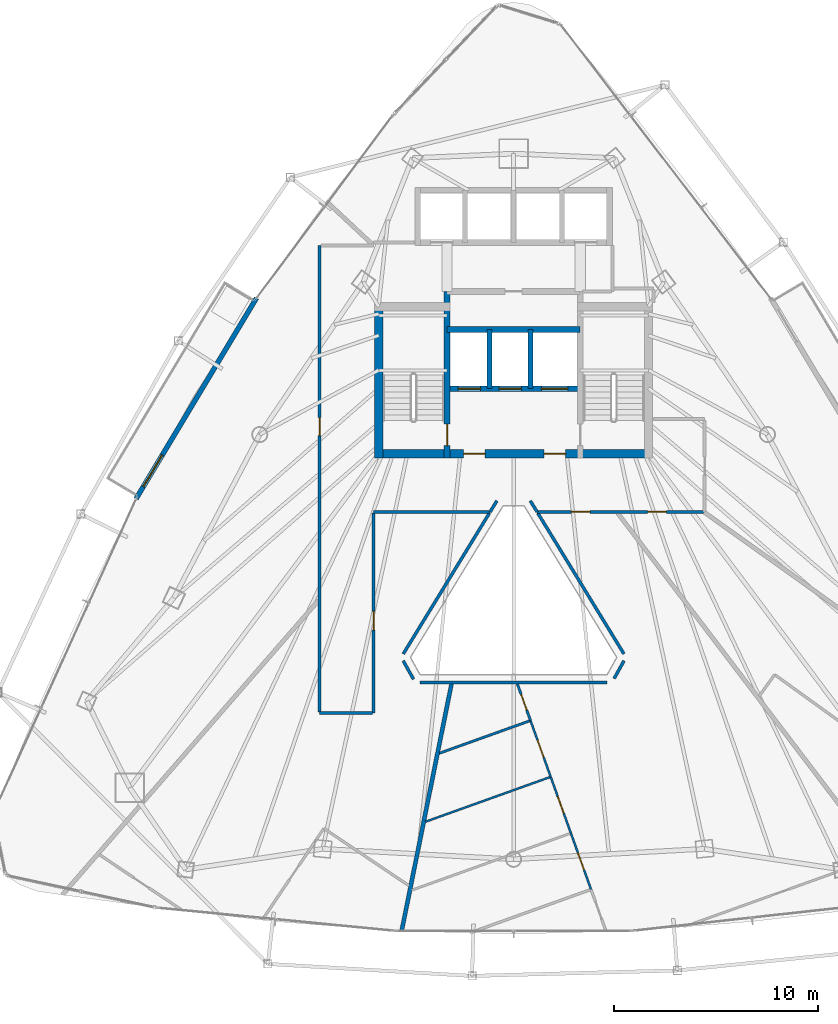
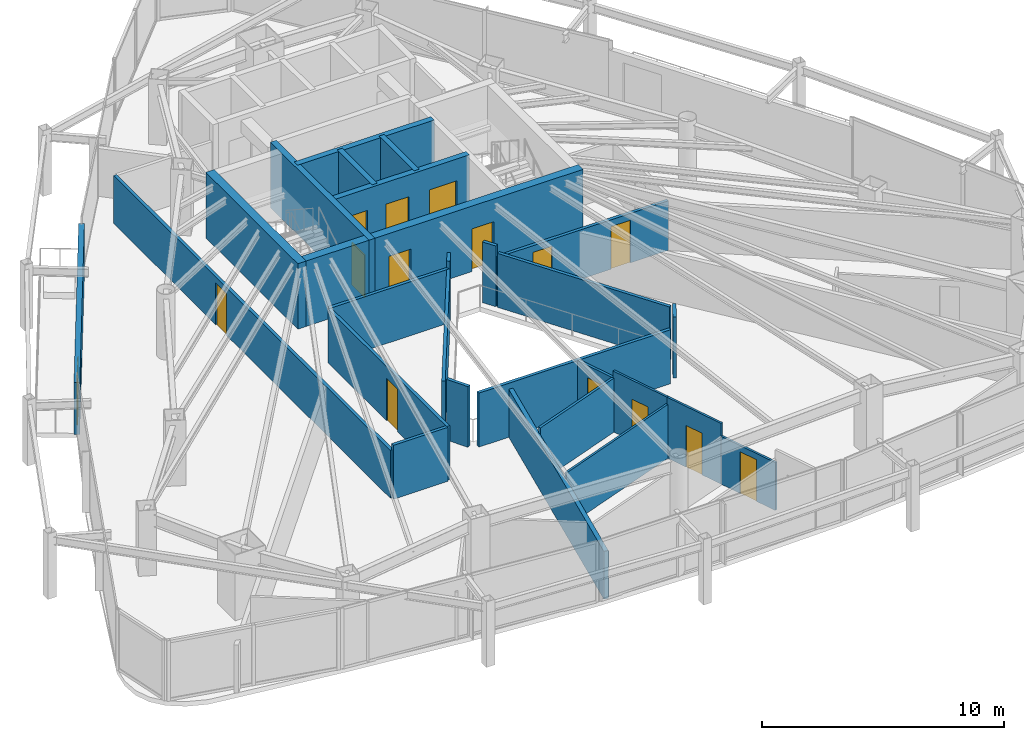
# One storey, part 25 of 30: 27 walls, 15 doors, 15 openings.
"""IFC4 building model written with IfcOpenShell, lengths in metres."""

from ifc_helpers import new_model, si_unit, direction, frame, frame_2d, origin, place, context, subcontext, project, spatial, rectangle, extrude, material, layer, layer_set, type_object, element, fill, save


model = new_model("IFC4")

# Units and contexts
model_context = context("Model", 3, precision=1e-05, world=origin(), true_north=direction((0.0, 1.0)))
body_context = subcontext(model_context, "Body", "Model", "MODEL_VIEW")
ifc_project = project(units=[si_unit("LENGTHUNIT", "METRE"), si_unit("AREAUNIT", "SQUARE_METRE"), si_unit("VOLUMEUNIT", "CUBIC_METRE"), si_unit("PLANEANGLEUNIT", "RADIAN"), si_unit("MASSUNIT", "GRAM", prefix="KILO")], contexts=[model_context])

# Site, building, storey
site_placement = place(None, origin())
site = spatial("IfcSite", under=ifc_project, at=site_placement, CompositionType="ELEMENT")
building_placement = place(site_placement, origin())
building = spatial("IfcBuilding", under=site, at=building_placement, Name="Orvanel Arch Residences", CompositionType="ELEMENT")
storey_placement = place(building_placement, frame((0.0, 0.0, 139.699951171875)))
storey = spatial("IfcBuildingStorey", under=building, at=storey_placement, Name="L39", CompositionType="ELEMENT", Elevation=139.699951171875)

# Wall, opening, door
ifc_material_1 = material(Name="Precast concrete N50 (50 MPa)", Category="concrete")
ifc_layer_1 = layer(ifc_material_1, 0.239990234375)
ifc_layer_set_1 = layer_set([ifc_layer_1], Name="Precast concrete N50 (50 MPa)")
wall_type_1 = type_object("IfcWallType", Name="EW-BAL-240", PredefinedType="SOLIDWALL", material=ifc_layer_set_1)
wall_1_placement = place(storey_placement, frame((20.407958984375, 34.326904296875, 0.0), z_axis=(0.0, 0.0, 1.0), x_axis=(-0.514364263751, -0.857571807009, 0.0)))
wall_1 = element("IfcWall", 1, at=wall_1_placement, inside=storey, type_object=wall_type_1, Name="L39 Balcony Threshold Wall Face 1", PredefinedType="SOLIDWALL", context=body_context, shape_type="SweptSolid", body=[
    extrude(rectangle(XDim=11.46826171875, YDim=0.239990234375, at=frame_2d((5.734130859375, 0.0))), origin(), (0.0, 0.0, 1.0), 2.6240234375),
])
opening_1_placement = place(wall_1_placement, frame((8.971923828125, 0.0, 0.0)))
opening_1 = element("IfcOpeningElement", 2, at=opening_1_placement, cuts=wall_1, Name="Opening DB-180", PredefinedType="OPENING", context=body_context, shape_type="SweptSolid", body=[
    extrude(rectangle(XDim=1.800048828125, YDim=2.199951171875, at=frame_2d((0.89990234375, 1.10009765625))), frame((0.0, 0.1298828125, 0.0), z_axis=(0.0, -1.0, 0.0), x_axis=(1.0, 0.0, 0.0)), (0.0, 0.0, 1.0), 0.260009765625),
])
ifc_material_2 = material(Name="Bronze-anodised aluminium AA6063-T6", Category="aluminium")
door_type_1 = type_object("IfcDoorType", Name="DR-BAL-1800", OperationType="NOTDEFINED", PredefinedType="DOOR", material=ifc_material_2)
door_1_placement = place(opening_1_placement, origin())
door_1 = element("IfcDoor", 3, at=door_1_placement, inside=storey, type_object=door_type_1, Name="DR-L39-BAL-F1 L39 Planted Balcony Access Door Face 1", OperationType="SINGLE_SWING_RIGHT", OverallHeight=2.199951171875, OverallWidth=1.800048828125, PredefinedType="DOOR", context=body_context, shape_type="SweptSolid", body=[
    extrude(rectangle(XDim=1.800048828125, YDim=2.199951171875, at=frame_2d((0.89990234375, 1.10009765625))), frame((0.0, 0.02490234375, 0.0), z_axis=(0.0, -1.0, 0.0), x_axis=(1.0, 0.0, 0.0)), (0.0, 0.0, 1.0), 0.050048828125),
])
fill(opening_1, door_1)

# Walls
ifc_material_3 = material(Name="Concrete N50 (50 MPa)", Category="concrete")
ifc_layer_2 = layer(ifc_material_3, 0.25)
ifc_layer_set_2 = layer_set([ifc_layer_2], Name="Concrete N50 (50 MPa)")
wall_type_2 = type_object("IfcWallType", Name="SW-CORE-250", PredefinedType="SHEAR", material=ifc_layer_set_2)
for number, where, z_axis, x_axis, name in (
    (4, (31.824951171875, 29.889892578125, 0.0), (0.0, 0.0, 1.0), (0.0, 1.0, 0.0), "L39 Emergency Lift Inter-Shaft Wall F12"),
    (5, (33.824951171875, 29.889892578125, 0.0), (0.0, 0.0, 1.0), (0.0, 1.0, 0.0), "L39 Emergency Lift Inter-Shaft Wall F2G"),
):
    element("IfcWall", number, at=place(storey_placement, frame(where, z_axis=z_axis, x_axis=x_axis)), inside=storey, type_object=wall_type_2, Name=name, PredefinedType="SHEAR", context=body_context, shape_type="SweptSolid", body=[
        extrude(rectangle(XDim=2.900146484375, YDim=0.25, at=frame_2d((1.4501953125, 0.0))), origin(), (0.0, 0.0, 1.0), 3.300048828125),
    ])

# Wall, opening, door
ifc_material_4 = material(Name="Concrete S65 (65 MPa)", Category="concrete")
ifc_layer_3 = layer(ifc_material_4, 0.280029296875)
ifc_layer_set_3 = layer_set([ifc_layer_3], Name="Concrete S65 (65 MPa)")
wall_type_3 = type_object("IfcWallType", Name="SW-CORE-280", PredefinedType="SHEAR", material=ifc_layer_set_3)
wall_2_placement = place(storey_placement, frame((29.739990234375, 26.5, 0.0), z_axis=(0.0, 0.0, 1.0), x_axis=(0.0, 1.0, 0.0)))
wall_2 = element("IfcWall", 6, at=wall_2_placement, inside=storey, type_object=wall_type_3, Name="L39 West Inner Core Spine Shear Wall", PredefinedType="SHEAR", context=body_context, shape_type="SweptSolid", body=[
    extrude(rectangle(XDim=8.14990234375, YDim=0.280029296875, at=frame_2d((4.074951171875, 0.0))), origin(), (0.0, 0.0, 1.0), 3.300048828125),
])
opening_2_placement = place(wall_2_placement, frame((0.60009765625, 0.0, 0.0)))
opening_2 = element("IfcOpeningElement", 7, at=opening_2_placement, cuts=wall_2, Name="Opening DF-120", PredefinedType="OPENING", context=body_context, shape_type="SweptSolid", body=[
    extrude(rectangle(XDim=1.050048828125, YDim=2.14990234375, at=frame_2d((0.52490234375, 1.074951171875))), frame((0.0, 0.14990234375, 0.0), z_axis=(0.0, -1.0, 0.0), x_axis=(1.0, 0.0, 0.0)), (0.0, 0.0, 1.0), 0.300048828125),
])
ifc_material_5 = material(Name="Galvanised steel fire-resisting door assembly", Category="steel")
door_type_2 = type_object("IfcDoorType", Name="DR-FD120-1050", OperationType="NOTDEFINED", PredefinedType="DOOR", material=ifc_material_5)
door_2_placement = place(opening_2_placement, origin())
door_2 = element("IfcDoor", 8, at=door_2_placement, inside=storey, type_object=door_type_2, Name="DR-L39-ST1 L39 Stair 1 Fire Door", OperationType="SINGLE_SWING_LEFT", OverallHeight=2.14990234375, OverallWidth=1.050048828125, PredefinedType="DOOR", context=body_context, shape_type="SweptSolid", body=[
    extrude(rectangle(XDim=1.050048828125, YDim=2.14990234375, at=frame_2d((0.52490234375, 1.074951171875))), frame((0.0, 0.02490234375, 0.0), z_axis=(0.0, -1.0, 0.0), x_axis=(1.0, 0.0, 0.0)), (0.0, 0.0, 1.0), 0.050048828125),
])
fill(opening_2, door_2)

# Wall, openings, doors
wall_3_placement = place(storey_placement, frame((36.260009765625, 29.889892578125, 0.0), z_axis=(0.0, 0.0, 1.0), x_axis=(-1.0, 0.0, 0.0)))
wall_3 = element("IfcWall", 9, at=wall_3_placement, inside=storey, type_object=wall_type_3, Name="L39 Emergency Lift Front Core Shear Wall", PredefinedType="SHEAR", context=body_context, shape_type="SweptSolid", body=[
    extrude(rectangle(XDim=6.52001953125, YDim=0.280029296875, at=frame_2d((3.260009765625, 0.0))), origin(), (0.0, 0.0, 1.0), 3.300048828125),
])
opening_3_placement = place(wall_3_placement, frame((4.875, 0.0, 0.0)))
opening_3 = element("IfcOpeningElement", 10, at=opening_3_placement, cuts=wall_3, Name="Opening LD-110", PredefinedType="OPENING", context=body_context, shape_type="SweptSolid", body=[
    extrude(rectangle(XDim=1.10009765625, YDim=2.199951171875, at=frame_2d((0.550048828125, 1.10009765625))), frame((0.0, 0.14990234375, 0.0), z_axis=(0.0, -1.0, 0.0), x_axis=(1.0, 0.0, 0.0)), (0.0, 0.0, 1.0), 0.300048828125),
])
opening_4_placement = place(wall_3_placement, frame((2.875, 0.0, 0.0)))
opening_4 = element("IfcOpeningElement", 11, at=opening_4_placement, cuts=wall_3, Name="Opening LD-110", PredefinedType="OPENING", context=body_context, shape_type="SweptSolid", body=[
    extrude(rectangle(XDim=1.10009765625, YDim=2.199951171875, at=frame_2d((0.550048828125, 1.10009765625))), frame((0.0, 0.14990234375, 0.0), z_axis=(0.0, -1.0, 0.0), x_axis=(1.0, 0.0, 0.0)), (0.0, 0.0, 1.0), 0.300048828125),
])
opening_5_placement = place(wall_3_placement, frame((0.60009765625, 0.0, 0.0)))
opening_5 = element("IfcOpeningElement", 12, at=opening_5_placement, cuts=wall_3, Name="Opening LD-130", PredefinedType="OPENING", context=body_context, shape_type="SweptSolid", body=[
    extrude(rectangle(XDim=1.300048828125, YDim=2.199951171875, at=frame_2d((0.64990234375, 1.10009765625))), frame((0.0, 0.14990234375, 0.0), z_axis=(0.0, -1.0, 0.0), x_axis=(1.0, 0.0, 0.0)), (0.0, 0.0, 1.0), 0.300048828125),
])
door_type_3 = type_object("IfcDoorType", Name="DR-LFT-1100", OperationType="NOTDEFINED", PredefinedType="DOOR", material=ifc_material_5)
door_3_placement = place(opening_3_placement, origin())
door_3 = element("IfcDoor", 13, at=door_3_placement, inside=storey, type_object=door_type_3, Name="LD-F1-L39 L39 Lift F1 Sliding Landing Door", OperationType="DOUBLE_DOOR_SLIDING", OverallHeight=2.199951171875, OverallWidth=1.10009765625, PredefinedType="DOOR", context=body_context, shape_type="SweptSolid", body=[
    extrude(rectangle(XDim=1.10009765625, YDim=2.199951171875, at=frame_2d((0.550048828125, 1.10009765625))), frame((0.0, 0.02490234375, 0.0), z_axis=(0.0, -1.0, 0.0), x_axis=(1.0, 0.0, 0.0)), (0.0, 0.0, 1.0), 0.050048828125),
])
fill(opening_3, door_3)
door_4_placement = place(opening_4_placement, origin())
door_4 = element("IfcDoor", 14, at=door_4_placement, inside=storey, type_object=door_type_3, Name="LD-F2-L39 L39 Lift F2 Sliding Landing Door", OperationType="DOUBLE_DOOR_SLIDING", OverallHeight=2.199951171875, OverallWidth=1.10009765625, PredefinedType="DOOR", context=body_context, shape_type="SweptSolid", body=[
    extrude(rectangle(XDim=1.10009765625, YDim=2.199951171875, at=frame_2d((0.550048828125, 1.10009765625))), frame((0.0, 0.02490234375, 0.0), z_axis=(0.0, -1.0, 0.0), x_axis=(1.0, 0.0, 0.0)), (0.0, 0.0, 1.0), 0.050048828125),
])
fill(opening_4, door_4)
door_type_4 = type_object("IfcDoorType", Name="DR-LFT-1300", OperationType="NOTDEFINED", PredefinedType="DOOR", material=ifc_material_5)
door_5_placement = place(opening_5_placement, origin())
door_5 = element("IfcDoor", 15, at=door_5_placement, inside=storey, type_object=door_type_4, Name="LD-G1-L39 L39 Lift G1 Sliding Landing Door", OperationType="DOUBLE_DOOR_SLIDING", OverallHeight=2.199951171875, OverallWidth=1.300048828125, PredefinedType="DOOR", context=body_context, shape_type="SweptSolid", body=[
    extrude(rectangle(XDim=1.300048828125, YDim=2.199951171875, at=frame_2d((0.64990234375, 1.10009765625))), frame((0.0, 0.02490234375, 0.0), z_axis=(0.0, -1.0, 0.0), x_axis=(1.0, 0.0, 0.0)), (0.0, 0.0, 1.0), 0.050048828125),
])
fill(opening_5, door_5)

# Wall
wall_4_placement = place(storey_placement, frame((29.739990234375, 32.7900390625, 0.0), z_axis=(0.0, 0.0, 1.0), x_axis=(1.0, 0.0, 0.0)))
element("IfcWall", 16, at=wall_4_placement, inside=storey, type_object=wall_type_3, Name="L39 Emergency Lift Back Core Shear Wall", PredefinedType="SHEAR", context=body_context, shape_type="SweptSolid", body=[
    extrude(rectangle(XDim=6.52001953125, YDim=0.280029296875, at=frame_2d((3.260009765625, 0.0))), origin(), (0.0, 0.0, 1.0), 3.300048828125),
])

# Wall, openings, doors
ifc_layer_4 = layer(ifc_material_4, 0.39990234375)
ifc_layer_set_4 = layer_set([ifc_layer_4], Name="Concrete S65 (65 MPa)")
wall_type_4 = type_object("IfcWallType", Name="SW-CORE-400", PredefinedType="SHEAR", material=ifc_layer_set_4)
wall_5_placement = place(storey_placement, frame((26.199951171875, 26.699951171875, 0.0), z_axis=(0.0, 0.0, 1.0), x_axis=(1.0, 0.0, 0.0)))
wall_5 = element("IfcWall", 17, at=wall_5_placement, inside=storey, type_object=wall_type_4, Name="L39 South Core Shear Wall", PredefinedType="SHEAR", context=body_context, shape_type="SweptSolid", body=[
    extrude(rectangle(XDim=13.60009765625, YDim=0.39990234375, at=frame_2d((6.800048828125, 0.0))), origin(), (0.0, 0.0, 1.0), 3.300048828125),
])
opening_6_placement = place(wall_5_placement, frame((4.35009765625, 0.0, 0.0)))
opening_6 = element("IfcOpeningElement", 18, at=opening_6_placement, cuts=wall_5, Name="Opening DF-060", PredefinedType="OPENING", context=body_context, shape_type="SweptSolid", body=[
    extrude(rectangle(XDim=1.050048828125, YDim=2.14990234375, at=frame_2d((0.52490234375, 1.074951171875))), frame((0.0, 0.2099609375, 0.0), z_axis=(0.0, -1.0, 0.0), x_axis=(1.0, 0.0, 0.0)), (0.0, 0.0, 1.0), 0.419921875),
])
opening_7_placement = place(wall_5_placement, frame((8.300048828125, 0.0, 0.0)))
opening_7 = element("IfcOpeningElement", 19, at=opening_7_placement, cuts=wall_5, Name="Opening DF-060", PredefinedType="OPENING", context=body_context, shape_type="SweptSolid", body=[
    extrude(rectangle(XDim=1.050048828125, YDim=2.14990234375, at=frame_2d((0.52490234375, 1.074951171875))), frame((0.0, 0.2099609375, 0.0), z_axis=(0.0, -1.0, 0.0), x_axis=(1.0, 0.0, 0.0)), (0.0, 0.0, 1.0), 0.419921875),
])
door_type_5 = type_object("IfcDoorType", Name="DR-FD60-1050", OperationType="NOTDEFINED", PredefinedType="DOOR", material=ifc_material_5)
door_6_placement = place(opening_6_placement, origin())
door_6 = element("IfcDoor", 20, at=door_6_placement, inside=storey, type_object=door_type_5, Name="DR-L39-FFL-W L39 West Smoke Lobby Door", OperationType="SINGLE_SWING_LEFT", OverallHeight=2.14990234375, OverallWidth=1.050048828125, PredefinedType="DOOR", context=body_context, shape_type="SweptSolid", body=[
    extrude(rectangle(XDim=1.050048828125, YDim=2.14990234375, at=frame_2d((0.52490234375, 1.074951171875))), frame((0.0, 0.02490234375, 0.0), z_axis=(0.0, -1.0, 0.0), x_axis=(1.0, 0.0, 0.0)), (0.0, 0.0, 1.0), 0.050048828125),
])
fill(opening_6, door_6)
door_7_placement = place(opening_7_placement, origin())
door_7 = element("IfcDoor", 21, at=door_7_placement, inside=storey, type_object=door_type_5, Name="DR-L39-FFL-E L39 East Smoke Lobby Door", OperationType="SINGLE_SWING_RIGHT", OverallHeight=2.14990234375, OverallWidth=1.050048828125, PredefinedType="DOOR", context=body_context, shape_type="SweptSolid", body=[
    extrude(rectangle(XDim=1.050048828125, YDim=2.14990234375, at=frame_2d((0.52490234375, 1.074951171875))), frame((0.0, 0.02490234375, 0.0), z_axis=(0.0, -1.0, 0.0), x_axis=(1.0, 0.0, 0.0)), (0.0, 0.0, 1.0), 0.050048828125),
])
fill(opening_7, door_7)

# Walls
wall_6_placement = place(storey_placement, frame((26.39990234375, 26.5, 0.0), z_axis=(0.0, 0.0, 1.0), x_axis=(0.0, 1.0, 0.0)))
element("IfcWall", 22, at=wall_6_placement, inside=storey, type_object=wall_type_4, Name="L39 West Stair Shear Wall", PredefinedType="SHEAR", context=body_context, shape_type="SweptSolid", body=[
    extrude(rectangle(XDim=7.60009765625, YDim=0.39990234375, at=frame_2d((3.800048828125, 0.0))), origin(), (0.0, 0.0, 1.0), 3.300048828125),
])
ifc_material_6 = material(Name="Fire-rated plasterboard lined steel stud partition", Category="steel")
ifc_layer_5 = layer(ifc_material_6, 0.14990234375)
ifc_layer_set_5 = layer_set([ifc_layer_5], Name="Fire-rated plasterboard lined steel stud partition")
wall_type_5 = type_object("IfcWallType", Name="W-COR-150", PredefinedType="PARTITIONING", material=ifc_layer_set_5)
wall_7_placement = place(storey_placement, frame((32.18310546875, 24.39599609375, 0.0), z_axis=(0.0, 0.0, 1.0), x_axis=(-0.527674894897, -0.849446411079, 0.0)))
element("IfcWall", 23, at=wall_7_placement, inside=storey, type_object=wall_type_5, Name="L39 Corridor Fire-Rated Partition", PredefinedType="PARTITIONING", context=body_context, shape_type="SweptSolid", body=[
    extrude(rectangle(XDim=0.642578125, YDim=0.14990234375, at=frame_2d((0.3212890625, 0.0))), origin(), (0.0, 0.0, 1.0), 3.06005859375),
])
wall_8_placement = place(storey_placement, frame((31.843994140625, 23.85009765625, 0.0), z_axis=(0.0, 0.0, 1.0), x_axis=(-1.0, 0.0, 0.0)))
element("IfcWall", 24, at=wall_8_placement, inside=storey, type_object=wall_type_5, Name="L39 Corridor Fire-Rated Partition", PredefinedType="PARTITIONING", context=body_context, shape_type="SweptSolid", body=[
    extrude(rectangle(XDim=5.694091796875, YDim=0.14990234375, at=frame_2d((2.84716796875, 0.0))), origin(), (0.0, 0.0, 1.0), 2.720947265625),
])

# Wall, opening, door
wall_9_placement = place(storey_placement, frame((26.14990234375, 23.7900390625, 0.0), z_axis=(0.0, 0.0, 1.0), x_axis=(0.0, -1.0, 0.0)))
wall_9 = element("IfcWall", 25, at=wall_9_placement, inside=storey, type_object=wall_type_5, Name="L39 Corridor Fire-Rated Partition", PredefinedType="PARTITIONING", context=body_context, shape_type="SweptSolid", body=[
    extrude(rectangle(XDim=9.7900390625, YDim=0.14990234375, at=frame_2d((4.89501953125, 0.0))), origin(), (0.0, 0.0, 1.0), 2.720947265625),
])
opening_8_placement = place(wall_9_placement, frame((4.80908203125, 0.0, 0.0)))
opening_8 = element("IfcOpeningElement", 26, at=opening_8_placement, cuts=wall_9, Name="Opening DA-092", PredefinedType="OPENING", context=body_context, shape_type="SweptSolid", body=[
    extrude(rectangle(XDim=0.919921875, YDim=2.14990234375, at=frame_2d((0.4599609375, 1.074951171875))), frame((0.0, 0.0849609375, 0.0), z_axis=(0.0, -1.0, 0.0), x_axis=(1.0, 0.0, 0.0)), (0.0, 0.0, 1.0), 0.169921875),
])
ifc_material_7 = material(Name="Solid-core European oak veneer fire door leaf", Category="wood")
door_type_6 = type_object("IfcDoorType", Name="DR-APT-920", OperationType="NOTDEFINED", PredefinedType="DOOR", material=ifc_material_7)
door_8_placement = place(opening_8_placement, origin())
door_8 = element("IfcDoor", 27, at=door_8_placement, inside=storey, type_object=door_type_6, Name="DR-L39-D-ENT L39 Studio D Entrance Door", OperationType="SINGLE_SWING_LEFT", OverallHeight=2.14990234375, OverallWidth=0.919921875, PredefinedType="DOOR", context=body_context, shape_type="SweptSolid", body=[
    extrude(rectangle(XDim=0.919921875, YDim=2.14990234375, at=frame_2d((0.4599609375, 1.074951171875))), frame((0.0, 0.02490234375, 0.0), z_axis=(0.0, -1.0, 0.0), x_axis=(1.0, 0.0, 0.0)), (0.0, 0.0, 1.0), 0.050048828125),
])
fill(opening_8, door_8)

# Wall
wall_10_placement = place(storey_placement, frame((26.090087890625, 14.0, 0.0), z_axis=(0.0, 0.0, 1.0), x_axis=(-1.0, 0.0, 0.0)))
element("IfcWall", 28, at=wall_10_placement, inside=storey, type_object=wall_type_5, Name="L39 Corridor Fire-Rated Partition", PredefinedType="PARTITIONING", context=body_context, shape_type="SweptSolid", body=[
    extrude(rectangle(XDim=2.590087890625, YDim=0.14990234375, at=frame_2d((1.294921875, 0.0))), origin(), (0.0, 0.0, 1.0), 2.720947265625),
])

# Wall, opening, door
wall_11_placement = place(storey_placement, frame((23.5, 14.06005859375, 0.0), z_axis=(0.0, 0.0, 1.0), x_axis=(0.0, 1.0, 0.0)))
wall_11 = element("IfcWall", 29, at=wall_11_placement, inside=storey, type_object=wall_type_5, Name="L39 Corridor Fire-Rated Partition", PredefinedType="PARTITIONING", context=body_context, shape_type="SweptSolid", body=[
    extrude(rectangle(XDim=22.83984375, YDim=0.14990234375, at=frame_2d((11.419921875, 0.0))), origin(), (0.0, 0.0, 1.0), 2.4130859375),
])
opening_9_placement = place(wall_11_placement, frame((13.532958984375, 0.0, 0.0)))
opening_9 = element("IfcOpeningElement", 30, at=opening_9_placement, cuts=wall_11, Name="Opening DI-088", PredefinedType="OPENING", context=body_context, shape_type="SweptSolid", body=[
    extrude(rectangle(XDim=0.8798828125, YDim=2.10009765625, at=frame_2d((0.43994140625, 1.050048828125))), frame((0.0, 0.0849609375, 0.0), z_axis=(0.0, -1.0, 0.0), x_axis=(1.0, 0.0, 0.0)), (0.0, 0.0, 1.0), 0.169921875),
])
door_type_7 = type_object("IfcDoorType", Name="DR-INT-880", OperationType="NOTDEFINED", PredefinedType="DOOR", material=ifc_material_7)
door_9_placement = place(opening_9_placement, origin())
door_9 = element("IfcDoor", 31, at=door_9_placement, inside=storey, type_object=door_type_7, Name="DR-L39-SHRD-FB3 L39 Co-Working Study Office C Door", OperationType="SINGLE_SWING_LEFT", OverallHeight=2.10009765625, OverallWidth=0.8798828125, PredefinedType="DOOR", context=body_context, shape_type="SweptSolid", body=[
    extrude(rectangle(XDim=0.8798828125, YDim=2.10009765625, at=frame_2d((0.43994140625, 1.050048828125))), frame((0.0, 0.02490234375, 0.0), z_axis=(0.0, -1.0, 0.0), x_axis=(1.0, 0.0, 0.0)), (0.0, 0.0, 1.0), 0.050048828125),
])
fill(opening_9, door_9)

# Wall, openings, doors
wall_12_placement = place(storey_placement, frame((42.2900390625, 23.85009765625, 0.0), z_axis=(0.0, 0.0, 1.0), x_axis=(-1.0, 0.0, 0.0)))
wall_12 = element("IfcWall", 32, at=wall_12_placement, inside=storey, type_object=wall_type_5, Name="L39 Corridor Fire-Rated Partition", PredefinedType="PARTITIONING", context=body_context, shape_type="SweptSolid", body=[
    extrude(rectangle(XDim=8.134033203125, YDim=0.14990234375, at=frame_2d((4.06689453125, 0.0))), origin(), (0.0, 0.0, 1.0), 2.491943359375),
])
opening_10_placement = place(wall_12_placement, frame((5.5458984375, 0.0, 0.0)))
opening_10 = element("IfcOpeningElement", 33, at=opening_10_placement, cuts=wall_12, Name="Opening DA-092", PredefinedType="OPENING", context=body_context, shape_type="SweptSolid", body=[
    extrude(rectangle(XDim=0.919921875, YDim=2.14990234375, at=frame_2d((0.4599609375, 1.074951171875))), frame((0.0, 0.0849609375, 0.0), z_axis=(0.0, -1.0, 0.0), x_axis=(1.0, 0.0, 0.0)), (0.0, 0.0, 1.0), 0.169921875),
])
opening_11_placement = place(wall_12_placement, frame((1.806884765625, 0.0, 0.0)))
opening_11 = element("IfcOpeningElement", 34, at=opening_11_placement, cuts=wall_12, Name="Opening DA-092", PredefinedType="OPENING", context=body_context, shape_type="SweptSolid", body=[
    extrude(rectangle(XDim=0.919921875, YDim=2.14990234375, at=frame_2d((0.4599609375, 1.074951171875))), frame((0.0, 0.0849609375, 0.0), z_axis=(0.0, -1.0, 0.0), x_axis=(1.0, 0.0, 0.0)), (0.0, 0.0, 1.0), 0.169921875),
])
door_10_placement = place(opening_10_placement, origin())
door_10 = element("IfcDoor", 35, at=door_10_placement, inside=storey, type_object=door_type_6, Name="DR-L39-A-ENT L39 Flat A Entrance Door", OperationType="SINGLE_SWING_RIGHT", OverallHeight=2.14990234375, OverallWidth=0.919921875, PredefinedType="DOOR", context=body_context, shape_type="SweptSolid", body=[
    extrude(rectangle(XDim=0.919921875, YDim=2.14990234375, at=frame_2d((0.4599609375, 1.074951171875))), frame((0.0, 0.02490234375, 0.0), z_axis=(0.0, -1.0, 0.0), x_axis=(1.0, 0.0, 0.0)), (0.0, 0.0, 1.0), 0.050048828125),
])
fill(opening_10, door_10)
door_11_placement = place(opening_11_placement, origin())
door_11 = element("IfcDoor", 36, at=door_11_placement, inside=storey, type_object=door_type_6, Name="DR-L39-E-ENT L39 Studio E Entrance Door", OperationType="SINGLE_SWING_RIGHT", OverallHeight=2.14990234375, OverallWidth=0.919921875, PredefinedType="DOOR", context=body_context, shape_type="SweptSolid", body=[
    extrude(rectangle(XDim=0.919921875, YDim=2.14990234375, at=frame_2d((0.4599609375, 1.074951171875))), frame((0.0, 0.02490234375, 0.0), z_axis=(0.0, -1.0, 0.0), x_axis=(1.0, 0.0, 0.0)), (0.0, 0.0, 1.0), 0.050048828125),
])
fill(opening_11, door_11)

# Walls
wall_13_placement = place(storey_placement, frame((34.156005859375, 23.85107421875, 0.0), z_axis=(0.0, 0.0, 1.0), x_axis=(-0.528356729584, 0.849022476913, 0.0)))
element("IfcWall", 37, at=wall_13_placement, inside=storey, type_object=wall_type_5, Name="L39 Corridor Fire-Rated Partition", PredefinedType="PARTITIONING", context=body_context, shape_type="SweptSolid", body=[
    extrude(rectangle(XDim=0.641845703125, YDim=0.14990234375, at=frame_2d((0.32080078125, 0.0))), origin(), (0.0, 0.0, 1.0), 3.06005859375),
])
wall_14_placement = place(storey_placement, frame((34.18798828125, 23.7900390625, 0.0), z_axis=(0.0, 0.0, 1.0), x_axis=(0.521816809014, -0.853057570057, 0.0)))
element("IfcWall", 38, at=wall_14_placement, inside=storey, type_object=wall_type_5, Name="L39 Atrium Overlook Glazed Partition", PredefinedType="PARTITIONING", context=body_context, shape_type="SweptSolid", body=[
    extrude(rectangle(XDim=8.075927734375, YDim=0.14990234375, at=frame_2d((4.0380859375, 0.0))), origin(), (0.0, 0.0, 1.0), 2.720947265625),
])
wall_15_placement = place(storey_placement, frame((38.407958984375, 16.56494140625, 0.0), z_axis=(0.0, 0.0, 1.0), x_axis=(-0.48761814532, -0.873057010942, 0.0)))
element("IfcWall", 39, at=wall_15_placement, inside=storey, type_object=wall_type_5, Name="L39 Atrium Overlook Glazed Partition", PredefinedType="PARTITIONING", context=body_context, shape_type="SweptSolid", body=[
    extrude(rectangle(XDim=0.996337890625, YDim=0.14990234375, at=frame_2d((0.498046875, 0.0))), origin(), (0.0, 0.0, 1.0), 3.06005859375),
])
wall_16_placement = place(storey_placement, frame((37.573974609375, 15.490966796875, 0.0), z_axis=(0.0, 0.0, 1.0), x_axis=(-1.0, 0.0, 0.0)))
element("IfcWall", 40, at=wall_16_placement, inside=storey, type_object=wall_type_5, Name="L39 Atrium Overlook Glazed Partition", PredefinedType="PARTITIONING", context=body_context, shape_type="SweptSolid", body=[
    extrude(rectangle(XDim=9.14794921875, YDim=0.14990234375, at=frame_2d((4.573974609375, 0.0))), origin(), (0.0, 0.0, 1.0), 2.720947265625),
])
wall_17_placement = place(storey_placement, frame((28.097900390625, 15.662109375, 0.0), z_axis=(0.0, 0.0, 1.0), x_axis=(-0.488804496818, 0.872393353878, 0.0)))
element("IfcWall", 41, at=wall_17_placement, inside=storey, type_object=wall_type_5, Name="L39 Atrium Overlook Glazed Partition", PredefinedType="PARTITIONING", context=body_context, shape_type="SweptSolid", body=[
    extrude(rectangle(XDim=1.034912109375, YDim=0.14990234375, at=frame_2d((0.517578125, 0.0))), origin(), (0.0, 0.0, 1.0), 3.06005859375),
])
wall_18_placement = place(storey_placement, frame((27.597900390625, 16.90087890625, 0.0), z_axis=(0.0, 0.0, 1.0), x_axis=(0.521816809014, 0.853057570057, 0.0)))
element("IfcWall", 42, at=wall_18_placement, inside=storey, type_object=wall_type_5, Name="L39 Atrium Overlook Glazed Partition", PredefinedType="PARTITIONING", context=body_context, shape_type="SweptSolid", body=[
    extrude(rectangle(XDim=8.075927734375, YDim=0.14990234375, at=frame_2d((4.0380859375, 0.0))), origin(), (0.0, 0.0, 1.0), 2.720947265625),
])
ifc_layer_6 = layer(ifc_material_6, 0.199951171875)
ifc_layer_set_6 = layer_set([ifc_layer_6], Name="Fire-rated plasterboard lined steel stud partition")
wall_type_6 = type_object("IfcWallType", Name="W-DEM-200", PredefinedType="PARTITIONING", material=ifc_layer_set_6)
wall_19_placement = place(storey_placement, frame((27.52099609375, 3.342041015625, 0.0), z_axis=(0.0, 0.0, 1.0), x_axis=(0.197768112081, 0.980248832615, 0.0)))
element("IfcWall", 43, at=wall_19_placement, inside=storey, type_object=wall_type_6, Name="L39 Inter-Tenancy Acoustic Demising Wall", PredefinedType="PARTITIONING", context=body_context, shape_type="SweptSolid", body=[
    extrude(rectangle(XDim=12.33251953125, YDim=0.199951171875, at=frame_2d((6.166259765625, 0.0))), origin(), (0.0, 0.0, 1.0), 2.4130859375),
])

# Wall, opening, door
ifc_material_8 = material(Name="Acoustic plasterboard lined twin-stud partition", Category="gypsum")
ifc_layer_7 = layer(ifc_material_8, 0.10009765625)
ifc_layer_set_7 = layer_set([ifc_layer_7], Name="Acoustic plasterboard lined twin-stud partition")
wall_type_7 = type_object("IfcWallType", Name="W-INT-100", PredefinedType="PARTITIONING", material=ifc_layer_set_7)
wall_20_placement = place(storey_placement, frame((36.7919921875, 5.365966796875, 0.0), z_axis=(0.0, 0.0, 1.0), x_axis=(-0.33735537207, 0.941377370099, 0.0)))
wall_20 = element("IfcWall", 44, at=wall_20_placement, inside=storey, type_object=wall_type_7, Name="L39 Flat A Internal Partition", PredefinedType="PARTITIONING", context=body_context, shape_type="SweptSolid", body=[
    extrude(rectangle(XDim=2.9287109375, YDim=0.10009765625, at=frame_2d((1.46435546875, 0.0))), origin(), (0.0, 0.0, 1.0), 2.4130859375),
])
opening_12_placement = place(wall_20_placement, frame((1.02392578125, 0.0, 0.0)))
opening_12 = element("IfcOpeningElement", 45, at=opening_12_placement, cuts=wall_20, Name="Opening DI-088", PredefinedType="OPENING", context=body_context, shape_type="SweptSolid", body=[
    extrude(rectangle(XDim=0.8798828125, YDim=2.10009765625, at=frame_2d((0.43994140625, 1.050048828125))), frame((0.0, 0.06005859375, 0.0), z_axis=(0.0, -1.0, 0.0), x_axis=(1.0, 0.0, 0.0)), (0.0, 0.0, 1.0), 0.1201171875),
])
door_12_placement = place(opening_12_placement, origin())
door_12 = element("IfcDoor", 46, at=door_12_placement, inside=storey, type_object=door_type_7, Name="DR-L39-A-BED1 L39 Flat A Bedroom 1 Door", OperationType="SINGLE_SWING_LEFT", OverallHeight=2.10009765625, OverallWidth=0.8798828125, PredefinedType="DOOR", context=body_context, shape_type="SweptSolid", body=[
    extrude(rectangle(XDim=0.8798828125, YDim=2.10009765625, at=frame_2d((0.43994140625, 1.050048828125))), frame((0.0, 0.02490234375, 0.0), z_axis=(0.0, -1.0, 0.0), x_axis=(1.0, 0.0, 0.0)), (0.0, 0.0, 1.0), 0.050048828125),
])
fill(opening_12, door_12)

wall_21_placement = place(storey_placement, frame((35.803955078125, 8.123046875, 0.0), z_axis=(0.0, 0.0, 1.0), x_axis=(-0.337381847176, 0.941367881965, 0.0)))
wall_21 = element("IfcWall", 47, at=wall_21_placement, inside=storey, type_object=wall_type_7, Name="L39 Flat A Internal Partition", PredefinedType="PARTITIONING", context=body_context, shape_type="SweptSolid", body=[
    extrude(rectangle(XDim=2.928466796875, YDim=0.10009765625, at=frame_2d((1.46435546875, 0.0))), origin(), (0.0, 0.0, 1.0), 3.06005859375),
])
opening_13_placement = place(wall_21_placement, frame((1.02392578125, 0.0, 0.0)))
opening_13 = element("IfcOpeningElement", 48, at=opening_13_placement, cuts=wall_21, Name="Opening DI-088", PredefinedType="OPENING", context=body_context, shape_type="SweptSolid", body=[
    extrude(rectangle(XDim=0.8798828125, YDim=2.10009765625, at=frame_2d((0.43994140625, 1.050048828125))), frame((0.0, 0.06005859375, 0.0), z_axis=(0.0, -1.0, 0.0), x_axis=(1.0, 0.0, 0.0)), (0.0, 0.0, 1.0), 0.1201171875),
])
door_13_placement = place(opening_13_placement, origin())
door_13 = element("IfcDoor", 49, at=door_13_placement, inside=storey, type_object=door_type_7, Name="DR-L39-A-AME3 L39 Flat A Resident Reading Library 2 Door", OperationType="SINGLE_SWING_LEFT", OverallHeight=2.10009765625, OverallWidth=0.8798828125, PredefinedType="DOOR", context=body_context, shape_type="SweptSolid", body=[
    extrude(rectangle(XDim=0.8798828125, YDim=2.10009765625, at=frame_2d((0.43994140625, 1.050048828125))), frame((0.0, 0.02490234375, 0.0), z_axis=(0.0, -1.0, 0.0), x_axis=(1.0, 0.0, 0.0)), (0.0, 0.0, 1.0), 0.050048828125),
])
fill(opening_13, door_13)

wall_22_placement = place(storey_placement, frame((34.81591796875, 10.8798828125, 0.0), z_axis=(0.0, 0.0, 1.0), x_axis=(-0.337756804272, 0.941233414817, 0.0)))
wall_22 = element("IfcWall", 50, at=wall_22_placement, inside=storey, type_object=wall_type_7, Name="L39 Flat A Internal Partition", PredefinedType="PARTITIONING", context=body_context, shape_type="SweptSolid", body=[
    extrude(rectangle(XDim=2.92822265625, YDim=0.10009765625, at=frame_2d((1.464111328125, 0.0))), origin(), (0.0, 0.0, 1.0), 3.06005859375),
])
opening_14_placement = place(wall_22_placement, frame((1.02392578125, 0.0, 0.0)))
opening_14 = element("IfcOpeningElement", 51, at=opening_14_placement, cuts=wall_22, Name="Opening DI-088", PredefinedType="OPENING", context=body_context, shape_type="SweptSolid", body=[
    extrude(rectangle(XDim=0.8798828125, YDim=2.10009765625, at=frame_2d((0.43994140625, 1.050048828125))), frame((0.0, 0.06005859375, 0.0), z_axis=(0.0, -1.0, 0.0), x_axis=(1.0, 0.0, 0.0)), (0.0, 0.0, 1.0), 0.1201171875),
])
door_14_placement = place(opening_14_placement, origin())
door_14 = element("IfcDoor", 52, at=door_14_placement, inside=storey, type_object=door_type_7, Name="DR-L39-A-DIN4 L39 Flat A Dining Room 4 Door", OperationType="SINGLE_SWING_LEFT", OverallHeight=2.10009765625, OverallWidth=0.8798828125, PredefinedType="DOOR", context=body_context, shape_type="SweptSolid", body=[
    extrude(rectangle(XDim=0.8798828125, YDim=2.10009765625, at=frame_2d((0.43994140625, 1.050048828125))), frame((0.0, 0.02490234375, 0.0), z_axis=(0.0, -1.0, 0.0), x_axis=(1.0, 0.0, 0.0)), (0.0, 0.0, 1.0), 0.050048828125),
])
fill(opening_14, door_14)

# Wall
wall_23_placement = place(storey_placement, frame((28.68505859375, 8.681884765625, 0.0), z_axis=(0.0, 0.0, 1.0), x_axis=(0.94133243901, 0.337480724291, 0.0)))
element("IfcWall", 53, at=wall_23_placement, inside=storey, type_object=wall_type_7, Name="L39 Flat A Internal Partition", PredefinedType="PARTITIONING", context=body_context, shape_type="SweptSolid", body=[
    extrude(rectangle(XDim=6.512939453125, YDim=0.10009765625, at=frame_2d((3.25634765625, 0.0))), origin(), (0.0, 0.0, 1.0), 2.720947265625),
])

# Wall, opening, door
ifc_layer_8 = layer(ifc_material_8, 0.1201171875)
ifc_layer_set_8 = layer_set([ifc_layer_8], Name="Acoustic plasterboard lined twin-stud partition")
wall_type_8 = type_object("IfcWallType", Name="W-WET-120", PredefinedType="PARTITIONING", material=ifc_layer_set_8)
wall_24_placement = place(storey_placement, frame((33.826904296875, 13.635986328125, 0.0), z_axis=(0.0, 0.0, 1.0), x_axis=(-0.337163686904, 0.941446041063, 0.0)))
wall_24 = element("IfcWall", 54, at=wall_24_placement, inside=storey, type_object=wall_type_8, Name="L39 Flat A Bathroom Partition", PredefinedType="PARTITIONING", context=body_context, shape_type="SweptSolid", body=[
    extrude(rectangle(XDim=1.906494140625, YDim=0.1201171875, at=frame_2d((0.953125, 0.0))), origin(), (0.0, 0.0, 1.0), 2.720947265625),
])
opening_15_placement = place(wall_24_placement, frame((0.54296875, 0.0, 0.0)))
opening_15 = element("IfcOpeningElement", 55, at=opening_15_placement, cuts=wall_24, Name="Opening DW-082", PredefinedType="OPENING", context=body_context, shape_type="SweptSolid", body=[
    extrude(rectangle(XDim=0.820068359375, YDim=2.10009765625, at=frame_2d((0.41015625, 1.050048828125))), frame((0.0, 0.070068359375, 0.0), z_axis=(0.0, -1.0, 0.0), x_axis=(1.0, 0.0, 0.0)), (0.0, 0.0, 1.0), 0.14013671875),
])
door_type_8 = type_object("IfcDoorType", Name="DR-WET-820", OperationType="NOTDEFINED", PredefinedType="DOOR", material=ifc_material_7)
door_15_placement = place(opening_15_placement, origin())
door_15 = element("IfcDoor", 56, at=door_15_placement, inside=storey, type_object=door_type_8, Name="DR-L39-A-BATH L39 Flat A Bathroom Door", OperationType="SINGLE_SWING_RIGHT", OverallHeight=2.10009765625, OverallWidth=0.820068359375, PredefinedType="DOOR", context=body_context, shape_type="SweptSolid", body=[
    extrude(rectangle(XDim=0.820068359375, YDim=2.10009765625, at=frame_2d((0.41015625, 1.050048828125))), frame((0.0, 0.02490234375, 0.0), z_axis=(0.0, -1.0, 0.0), x_axis=(1.0, 0.0, 0.0)), (0.0, 0.0, 1.0), 0.050048828125),
])
fill(opening_15, door_15)

# Wall
wall_25_placement = place(storey_placement, frame((33.826904296875, 13.635986328125, 0.0), z_axis=(0.0, 0.0, 1.0), x_axis=(-0.941307932725, -0.337549071676, 0.0)))
element("IfcWall", 57, at=wall_25_placement, inside=storey, type_object=wall_type_8, Name="L39 Flat A Bathroom Partition", PredefinedType="PARTITIONING", context=body_context, shape_type="SweptSolid", body=[
    extrude(rectangle(XDim=4.7431640625, YDim=0.1201171875, at=frame_2d((2.37158203125, 0.0))), origin(), (0.0, 0.0, 1.0), 2.720947265625),
])

save(model, "model.ifc")
